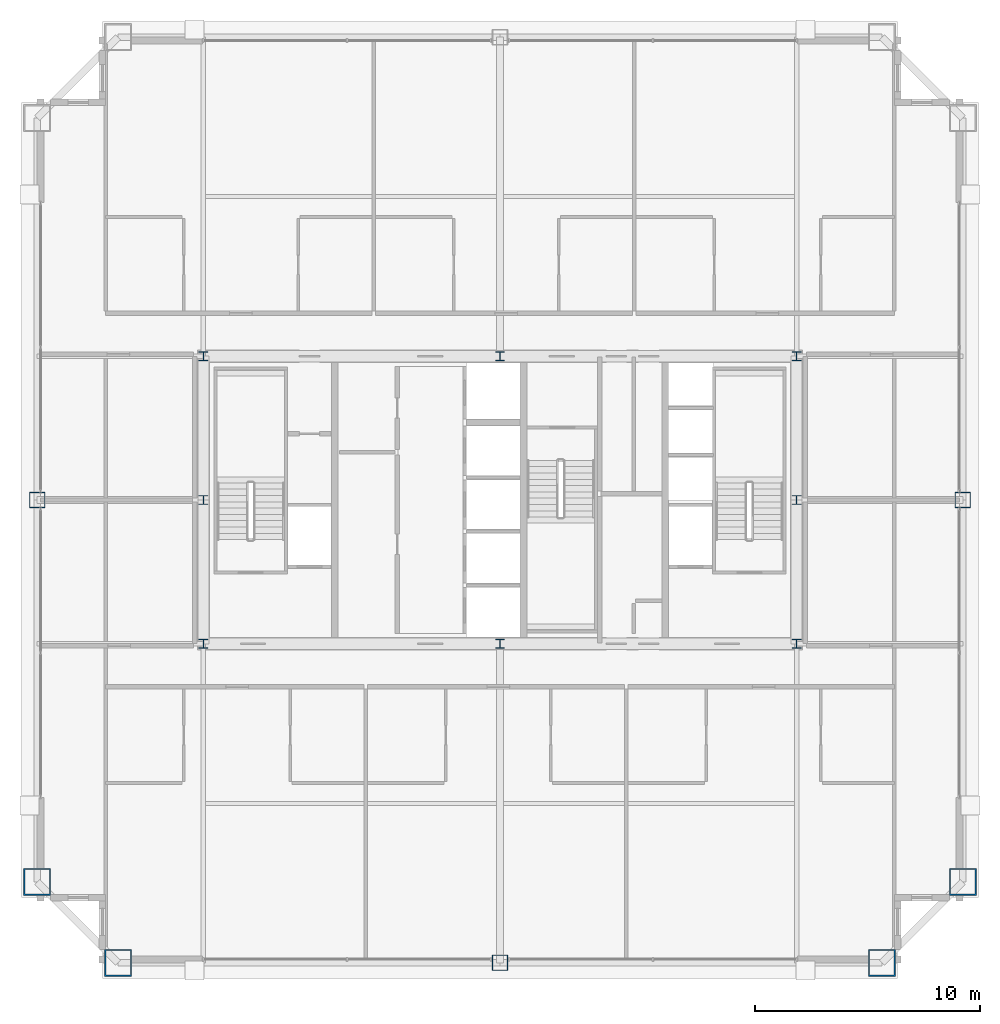
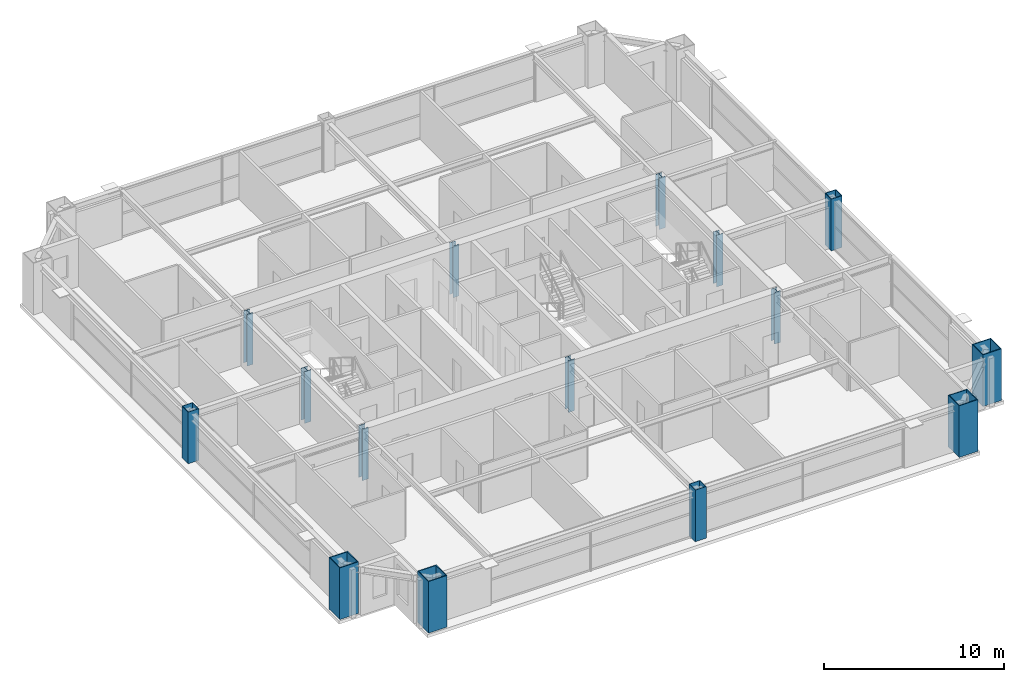
# One storey, part 1 of 36: 15 columns.
"""IFC4 building model written with IfcOpenShell, lengths in metres."""

from ifc_helpers import new_model, si_unit, direction, frame, origin, origin_2d, place, context, subcontext, project, spatial, hollow_rectangle, i_section, extrude, source, transform, mapped, material, material_profile, profile_set, type_object, element, save


model = new_model("IFC4")

# Units and contexts
model_context = context("Model", 3, precision=1e-05, world=origin(), true_north=direction((0.0, 1.0)))
body_context = subcontext(model_context, "Body", "Model", "MODEL_VIEW")
ifc_project = project(units=[si_unit("LENGTHUNIT", "METRE"), si_unit("AREAUNIT", "SQUARE_METRE"), si_unit("VOLUMEUNIT", "CUBIC_METRE"), si_unit("PLANEANGLEUNIT", "RADIAN"), si_unit("MASSUNIT", "GRAM", prefix="KILO"), si_unit("THERMODYNAMICTEMPERATUREUNIT", "KELVIN"), si_unit("POWERUNIT", "WATT")], contexts=[model_context])

# Site, building, storey
site_placement = place(None, origin())
site = spatial("IfcSite", under=ifc_project, at=site_placement, CompositionType="ELEMENT")
building_placement = place(site_placement, origin())
building = spatial("IfcBuilding", under=site, at=building_placement, Name="Yuzanri Waterfront Tower", CompositionType="ELEMENT")
storey_placement = place(building_placement, frame((0.0, 0.0, 238.10009765625)))
storey = spatial("IfcBuildingStorey", under=building, at=storey_placement, Name="L63", CompositionType="ELEMENT", Elevation=238.10009765625)

# Columns
ifc_material_1 = material(Name="Steel Q355B", Category="steel")
ifc_material_profile_1 = material_profile(ifc_material_1, i_section(OverallWidth=0.39990234375, OverallDepth=0.39990234375, WebThickness=0.012939453125, FlangeThickness=0.02099609375, at=origin_2d()), Name="HW 400x400x13x21")
ifc_profile_set_1 = profile_set([ifc_material_profile_1], Name="Steel Q355B")
column_type_1 = type_object("IfcColumnType", Name="Core Post Q355B HW 400x400x13x21", PredefinedType="COLUMN", material=ifc_profile_set_1)
shared_shape_1 = source(origin(), body_context, "Body", "SweptSolid", [
    extrude(i_section(OverallWidth=0.39990234375, OverallDepth=0.39990234375, WebThickness=0.012939453125, FlangeThickness=0.02099609375, at=origin_2d()), origin(), (0.0, 0.0, 1.0), 3.5),
])
for number, where, z_axis, x_axis, name in (
    (1, (23.800048828125, 19.39990234375, 0.0), (0.0, 0.0, 1.0), (1.0, 0.0, 0.0), "L63 Core Boundary Column CP1"),
    (2, (37.0, 19.39990234375, 0.0), (0.0, 0.0, 1.0), (1.0, 0.0, 0.0), "L63 Core Boundary Column CP2"),
    (3, (50.199951171875, 19.39990234375, 0.0), (0.0, 0.0, 1.0), (1.0, 0.0, 0.0), "L63 Core Boundary Column CP3"),
    (4, (23.800048828125, 25.800048828125, 0.0), (0.0, 0.0, 1.0), (1.0, 0.0, 0.0), "L63 Core Boundary Column CP4"),
    (5, (50.199951171875, 25.800048828125, 0.0), (0.0, 0.0, 1.0), (1.0, 0.0, 0.0), "L63 Core Boundary Column CP5"),
    (6, (23.800048828125, 32.199951171875, 0.0), (0.0, 0.0, 1.0), (1.0, 0.0, 0.0), "L63 Core Boundary Column CP6"),
    (7, (37.0, 32.199951171875, 0.0), (0.0, 0.0, 1.0), (1.0, 0.0, 0.0), "L63 Core Boundary Column CP7"),
    (8, (50.199951171875, 32.199951171875, 0.0), (0.0, 0.0, 1.0), (1.0, 0.0, 0.0), "L63 Core Boundary Column CP8"),
):
    element("IfcColumn", number, at=place(storey_placement, frame(where, z_axis=z_axis, x_axis=x_axis)), inside=storey, type_object=column_type_1, Name=name, PredefinedType="COLUMN", context=body_context, shape_type="MappedRepresentation", body=[
        mapped(shared_shape_1, transform((0.0, 0.0, 0.0), scale=1.0)),
    ])
ifc_material_2 = material(Name="Steel Q390GJC", Category="steel")
ifc_material_profile_2 = material_profile(ifc_material_2, hollow_rectangle(XDim=1.199951171875, YDim=1.199951171875, WallThickness=0.054931640625, at=origin_2d()), Name="RHS 1200x1200x55")
ifc_profile_set_2 = profile_set([ifc_material_profile_2], Name="Steel Q390GJC")
column_type_2 = type_object("IfcColumnType", Name="Mega Column Q390GJC RHS 1200x1200x55", PredefinedType="COLUMN", material=ifc_profile_set_2)
shared_shape_2 = source(origin(), body_context, "Body", "SweptSolid", [
    extrude(hollow_rectangle(XDim=1.199951171875, YDim=1.199951171875, WallThickness=0.054931640625, at=origin_2d()), origin(), (0.0, 0.0, 1.0), 3.5),
])
for number, where, z_axis, x_axis, name in (
    (9, (20.0, 5.199951171875, 0.0), (0.0, 0.0, 1.0), (1.0, 0.0, 0.0), "L63 Perimeter Mega Column S1"),
    (10, (54.0, 5.199951171875, 0.0), (0.0, 0.0, 1.0), (1.0, 0.0, 0.0), "L63 Perimeter Mega Column S3"),
    (11, (16.39990234375, 8.800048828125, 0.0), (0.0, 0.0, 1.0), (1.0, 0.0, 0.0), "L63 Perimeter Mega Column W1"),
    (12, (57.60009765625, 8.800048828125, 0.0), (0.0, 0.0, 1.0), (1.0, 0.0, 0.0), "L63 Perimeter Mega Column E1"),
):
    element("IfcColumn", number, at=place(storey_placement, frame(where, z_axis=z_axis, x_axis=x_axis)), inside=storey, type_object=column_type_2, Name=name, PredefinedType="COLUMN", context=body_context, shape_type="MappedRepresentation", body=[
        mapped(shared_shape_2, transform((0.0, 0.0, 0.0), scale=1.0)),
    ])
ifc_material_3 = material(Name="Steel Q355B", Category="steel")
ifc_material_profile_3 = material_profile(ifc_material_3, hollow_rectangle(XDim=0.699951171875, YDim=0.699951171875, WallThickness=0.031982421875, at=origin_2d()), Name="RHS 700x700x32")
ifc_profile_set_3 = profile_set([ifc_material_profile_3], Name="Steel Q355B")
column_type_3 = type_object("IfcColumnType", Name="Frame Column Q355B RHS 700x700x32", PredefinedType="COLUMN", material=ifc_profile_set_3)
shared_shape_3 = source(origin(), body_context, "Body", "SweptSolid", [
    extrude(hollow_rectangle(XDim=0.699951171875, YDim=0.699951171875, WallThickness=0.031982421875, at=origin_2d()), origin(), (0.0, 0.0, 1.0), 3.5),
])
for number, where, z_axis, x_axis, name in (
    (13, (37.0, 5.199951171875, 0.0), (0.0, 0.0, 1.0), (1.0, 0.0, 0.0), "L63 Perimeter Frame Column S2"),
    (14, (16.39990234375, 25.800048828125, 0.0), (0.0, 0.0, 1.0), (1.0, 0.0, 0.0), "L63 Perimeter Frame Column W2"),
    (15, (57.60009765625, 25.800048828125, 0.0), (0.0, 0.0, 1.0), (1.0, 0.0, 0.0), "L63 Perimeter Frame Column E2"),
):
    element("IfcColumn", number, at=place(storey_placement, frame(where, z_axis=z_axis, x_axis=x_axis)), inside=storey, type_object=column_type_3, Name=name, PredefinedType="COLUMN", context=body_context, shape_type="MappedRepresentation", body=[
        mapped(shared_shape_3, transform((0.0, 0.0, 0.0), scale=1.0)),
    ])

save(model, "model.ifc")
